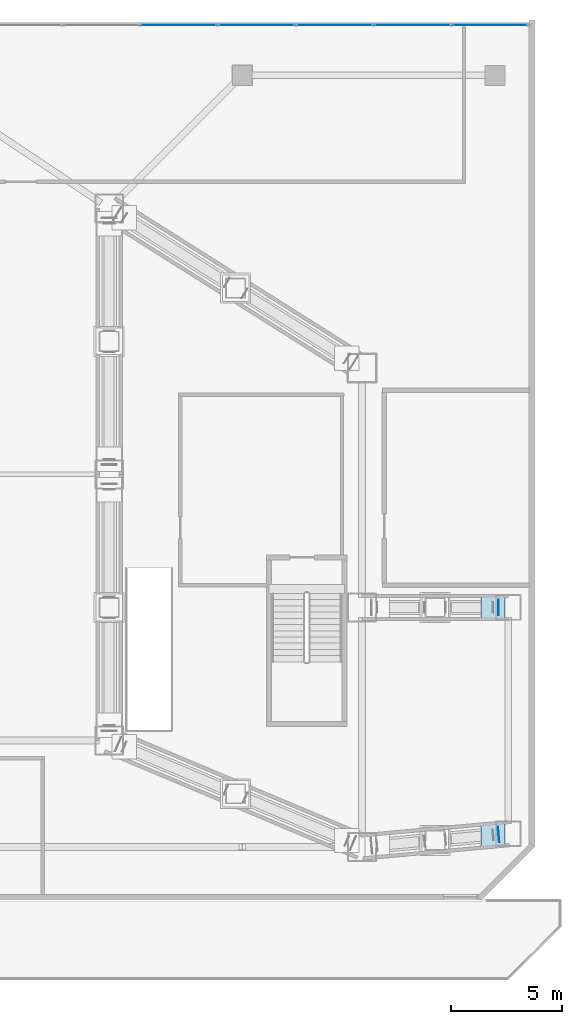
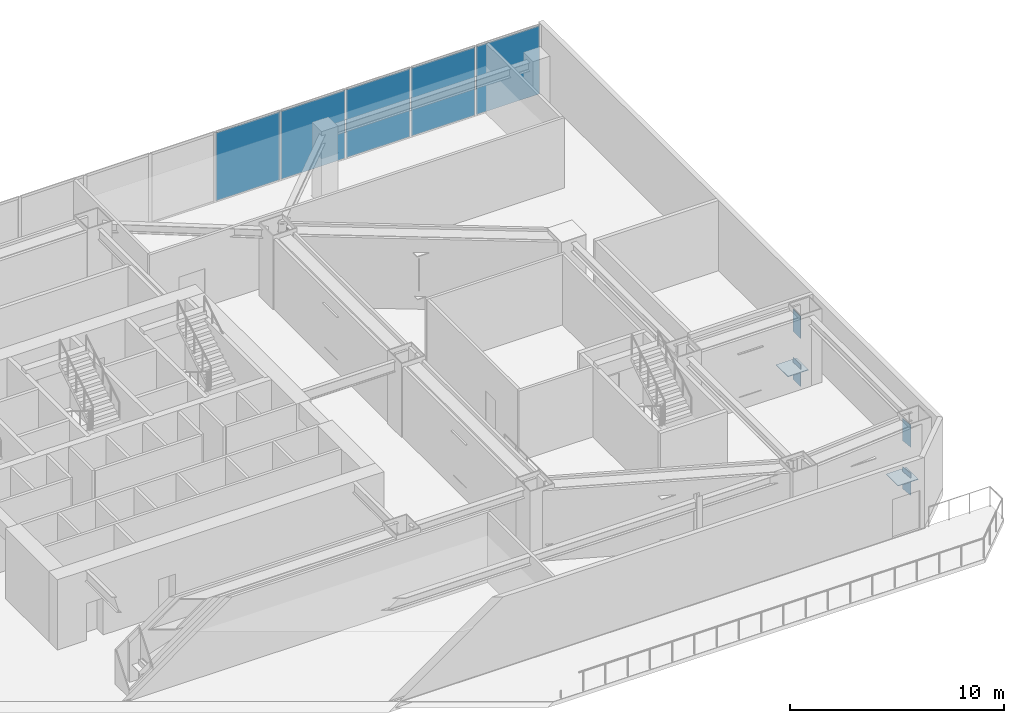
# One storey, part 26 of 39: 11 plates, 1 element without a shape of its own.
"""IFC4 building model written with IfcOpenShell, lengths in metres."""

from ifc_helpers import new_model, si_unit, direction, frame, origin, origin_2d, place, context, subcontext, project, spatial, rectangle, extrude, material, layer, layer_set, type_object, element, aggregate, save


model = new_model("IFC4")

# Units and contexts
model_context = context("Model", 3, precision=1e-05, world=origin(), true_north=direction((0.0, 1.0)))
body_context = subcontext(model_context, "Body", "Model", "MODEL_VIEW")
ifc_project = project(units=[si_unit("LENGTHUNIT", "METRE"), si_unit("AREAUNIT", "SQUARE_METRE"), si_unit("VOLUMEUNIT", "CUBIC_METRE"), si_unit("PLANEANGLEUNIT", "RADIAN"), si_unit("MASSUNIT", "GRAM", prefix="KILO")], contexts=[model_context])

# Site, building, storey
site_placement = place(None, origin())
site = spatial("IfcSite", under=ifc_project, at=site_placement, CompositionType="ELEMENT")
building_placement = place(site_placement, origin())
building = spatial("IfcBuilding", under=site, at=building_placement, Name="Haolan Belvedere Tower", CompositionType="ELEMENT")
storey_placement = place(building_placement, frame((0.0, 0.0, 19.800048828125)))
storey = spatial("IfcBuildingStorey", under=building, at=storey_placement, Name="L04", CompositionType="ELEMENT", Elevation=19.800048828125)

# Curtain wall, plates
ifc_material_1 = material(Name="Anodised champagne-silver aluminium 6063-T6 and Low-E glass", Category="aluminium")
ifc_layer_1 = layer(ifc_material_1, 0.179931640625, Name="Anodised champagne-silver aluminium 6063-T6 and Low-E glass")
ifc_layer_set_1 = layer_set([ifc_layer_1], Name="Anodised champagne-silver aluminium 6063-T6 and Low-E glass")
curtain_wall_type = type_object("IfcCurtainWallType", Name="CW-SYS-01", PredefinedType="NOTDEFINED", material=ifc_layer_set_1)
curtain_wall_placement = place(storey_placement, origin())
curtain_wall = element("IfcCurtainWall", 1, at=curtain_wall_placement, inside=storey, type_object=curtain_wall_type, Name="L04 CW-SYS-01 ribbon curtain wall 3.1", PredefinedType="NOTDEFINED")
ifc_material_2 = material(Name="Double silver Low-E laminated insulating glass", Category="glass")
ifc_layer_2 = layer(ifc_material_2, 0.028076171875, Name="Double silver Low-E laminated insulating glass")
ifc_layer_set_2 = layer_set([ifc_layer_2], Name="Double silver Low-E laminated insulating glass")
plate_type_1 = type_object("IfcPlateType", Name="CW-SYS-01-PNL", PredefinedType="CURTAIN_PANEL", material=ifc_layer_set_2)
plate_1_placement = place(storey_placement, frame((69.95947265625, 53.8701171875, 0.06005859375), z_axis=(0.0, 0.0, 1.0), x_axis=(-1.0, 0.0, 0.0)))
plate_1 = element("IfcPlate", 2, at=plate_1_placement, type_object=plate_type_1, Name="CW-01 panel 1.1", PredefinedType="CURTAIN_PANEL", context=body_context, shape_type="SweptSolid", body=[
    extrude(rectangle(XDim=3.410888671875, YDim=0.028076171875, at=origin_2d()), origin(), (0.0, 0.0, 1.0), 3.8798828125),
])
plate_2_placement = place(storey_placement, frame((66.46728515625, 53.8701171875, 0.06005859375), z_axis=(0.0, 0.0, 1.0), x_axis=(-1.0, 0.0, 0.0)))
plate_2 = element("IfcPlate", 3, at=plate_2_placement, type_object=plate_type_1, Name="CW-01 panel 2.1", PredefinedType="CURTAIN_PANEL", context=body_context, shape_type="SweptSolid", body=[
    extrude(rectangle(XDim=3.443359375, YDim=0.028076171875, at=origin_2d()), origin(), (0.0, 0.0, 1.0), 3.8798828125),
])
plate_3_placement = place(storey_placement, frame((62.958984375, 53.8701171875, 0.06005859375), z_axis=(0.0, 0.0, 1.0), x_axis=(-1.0, 0.0, 0.0)))
plate_3 = element("IfcPlate", 4, at=plate_3_placement, type_object=plate_type_1, Name="CW-01 panel 3.1", PredefinedType="CURTAIN_PANEL", context=body_context, shape_type="SweptSolid", body=[
    extrude(rectangle(XDim=3.443359375, YDim=0.028076171875, at=origin_2d()), origin(), (0.0, 0.0, 1.0), 3.8798828125),
])
plate_4_placement = place(storey_placement, frame((59.450439453125, 53.8701171875, 0.06005859375), z_axis=(0.0, 0.0, 1.0), x_axis=(-1.0, 0.0, 0.0)))
plate_4 = element("IfcPlate", 5, at=plate_4_placement, type_object=plate_type_1, Name="CW-01 panel 4.1", PredefinedType="CURTAIN_PANEL", context=body_context, shape_type="SweptSolid", body=[
    extrude(rectangle(XDim=3.443359375, YDim=0.028076171875, at=origin_2d()), origin(), (0.0, 0.0, 1.0), 3.8798828125),
])
plate_5_placement = place(storey_placement, frame((55.942138671875, 53.8701171875, 0.06005859375), z_axis=(0.0, 0.0, 1.0), x_axis=(-1.0, 0.0, 0.0)))
plate_5 = element("IfcPlate", 6, at=plate_5_placement, type_object=plate_type_1, Name="CW-01 panel 5.1", PredefinedType="CURTAIN_PANEL", context=body_context, shape_type="SweptSolid", body=[
    extrude(rectangle(XDim=3.443359375, YDim=0.028076171875, at=origin_2d()), origin(), (0.0, 0.0, 1.0), 3.8798828125),
])
aggregate(curtain_wall, [plate_1, plate_2, plate_3, plate_4, plate_5])

# Plates
ifc_material_3 = material(Name="Steel Q355B", Category="steel")
ifc_layer_3 = layer(ifc_material_3, 0.02490234375, Name="Steel Q355B")
ifc_layer_set_3 = layer_set([ifc_layer_3], Name="Steel Q355B")
plate_type_2 = type_object("IfcPlateType", Name="PL-CAP-25", PredefinedType="SHEET", material=ifc_layer_set_3)
for number, where, z_axis, x_axis, name in (
    (7, (70.3642578125, 17.3603515625, 2.7099609375), (0.0, 0.0, 1.0), (-0.090528290931, 0.995893884177, 0.0), "Hollow steel end-cap plate TT-T5-S-TC-CAP1"),
    (8, (70.3642578125, 17.3603515625, -0.0302734375), (0.0, 0.0, 1.0), (-0.090528290931, 0.995893884177, 0.0), "Hollow steel end-cap plate TT-T5-S-BC-CAP1"),
    (9, (70.362548828125, 27.60009765625, 2.7099609375), (0.0, 0.0, 1.0), (0.0, 1.0, 0.0), "Hollow steel end-cap plate TT-T5-N-TC-CAP1"),
    (10, (70.362548828125, 27.60009765625, -0.0302734375), (0.0, 0.0, 1.0), (0.0, 1.0, 0.0), "Hollow steel end-cap plate TT-T5-N-BC-CAP1"),
):
    element("IfcPlate", number, at=place(storey_placement, frame(where, z_axis=z_axis, x_axis=x_axis)), inside=storey, type_object=plate_type_2, Name=name, PredefinedType="SHEET", context=body_context, shape_type="SweptSolid", body=[
        extrude(rectangle(XDim=0.68994140625, YDim=0.02490234375, at=origin_2d()), origin(), (0.0, 0.0, 1.0), 1.260009765625),
    ])
ifc_material_4 = material(Name="Steel Q420GJC", Category="steel")
ifc_layer_4 = layer(ifc_material_4, 0.034912109375, Name="Steel Q420GJC")
ifc_layer_set_4 = layer_set([ifc_layer_4], Name="Steel Q420GJC")
plate_type_3 = type_object("IfcPlateType", Name="PL-NODE-NP01", PredefinedType="USERDEFINED", material=ifc_layer_set_4)
for number, where, z_axis, x_axis, name in (
    (11, (70.110107421875, 17.33740234375, 0.92236328125), (0.0, 0.0, 1.0), (1.0, 0.0, 0.0), "NP-01 transfer truss base gusset plate TT-T5-S.2"),
    (12, (70.110107421875, 27.60009765625, 0.92236328125), (0.0, 0.0, 1.0), (1.0, 0.0, 0.0), "NP-01 transfer truss base gusset plate TT-T5-N.2"),
):
    element("IfcPlate", number, at=place(storey_placement, frame(where, z_axis=z_axis, x_axis=x_axis)), inside=storey, type_object=plate_type_3, Name=name, ObjectType="GUSSET", PredefinedType="USERDEFINED", context=body_context, shape_type="SweptSolid", body=[
        extrude(rectangle(XDim=1.10009765625, YDim=1.10009765625, at=origin_2d()), origin(), (0.0, 0.0, 1.0), 0.034912109375),
    ])

save(model, "model.ifc")
